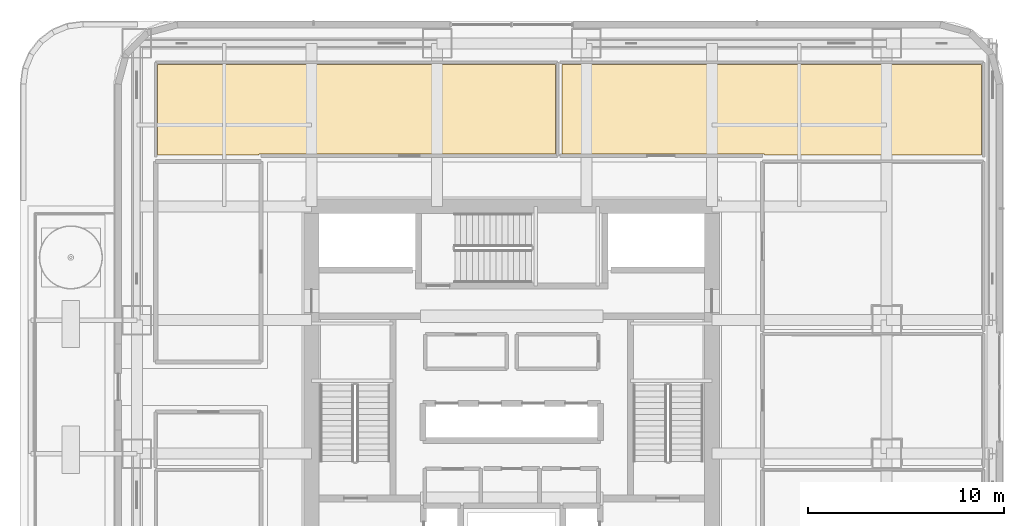
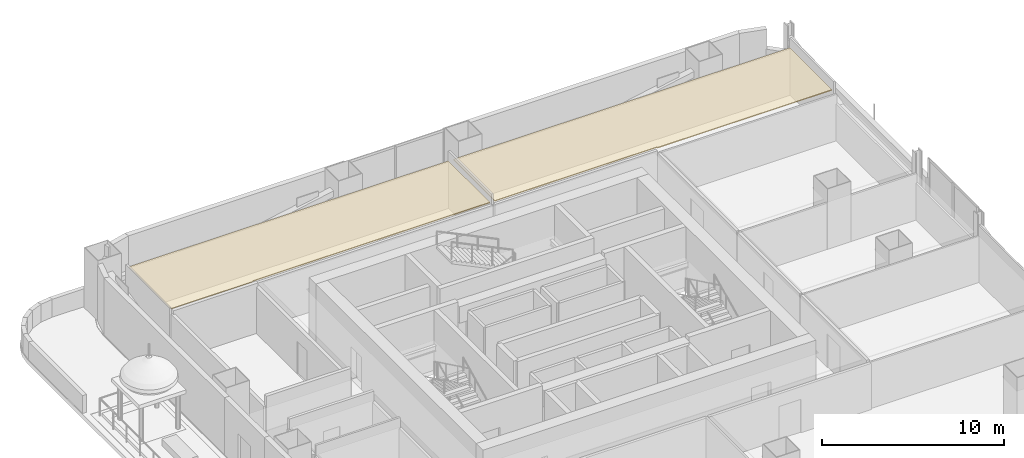
# One storey, part 26 of 27: 2 coverings.
"""IFC4 building model written with IfcOpenShell, lengths in metres."""

from ifc_helpers import new_model, si_unit, direction, frame, origin, place, context, subcontext, project, spatial, polyline, outline, extrude, material, layer, layer_set, type_object, element, save


model = new_model("IFC4")

# Units and contexts
model_context = context("Model", 3, precision=1e-05, world=origin(), true_north=direction((0.0, 1.0)))
body_context = subcontext(model_context, "Body", "Model", "MODEL_VIEW")
ifc_project = project(units=[si_unit("LENGTHUNIT", "METRE"), si_unit("AREAUNIT", "SQUARE_METRE"), si_unit("VOLUMEUNIT", "CUBIC_METRE"), si_unit("PLANEANGLEUNIT", "RADIAN"), si_unit("MASSUNIT", "GRAM", prefix="KILO")], contexts=[model_context])

# Site, building, storey
site_placement = place(None, origin())
site = spatial("IfcSite", under=ifc_project, at=site_placement, CompositionType="ELEMENT")
building_placement = place(site_placement, origin())
building = spatial("IfcBuilding", under=site, at=building_placement, Name="Punatoya Terracotta Tower", CompositionType="ELEMENT")
storey_placement = place(building_placement, frame((0.0, 0.0, 60.60009765625)))
storey = spatial("IfcBuildingStorey", under=building, at=storey_placement, Name="L13", CompositionType="ELEMENT", Elevation=60.60009765625)

# Coverings
ifc_material = material(Name="Acoustic Mineral Fibre Ceiling")
ifc_layer = layer(ifc_material, 0.06005859375)
ifc_layer_set = layer_set([ifc_layer], Name="Acoustic Mineral Fibre Ceiling")
covering_type = type_object("IfcCoveringType", Name="COV-CEIL-60", PredefinedType="CEILING", material=ifc_layer_set)
covering_1_placement = place(storey_placement, frame((0.0, 0.0, 3.159912109375)))
element("IfcCovering", 1, at=covering_1_placement, inside=storey, type_object=covering_type, Name="L13 Client Briefing Office Acoustic Ceiling", PredefinedType="CEILING", context=body_context, shape_type="SweptSolid", body=[
    extrude(outline(polyline([(-18.0400390625, 16.43994140625), (-18.0400390625, 11.81005859375), (-12.8701171875, 11.81005859375), (-12.8701171875, 11.8701171875), (2.239990234375, 11.8701171875), (2.239990234375, 16.43994140625), (-18.0400390625, 16.43994140625)])), origin(), (0.0, 0.0, 1.0), 0.06005859375),
])
covering_2_placement = place(storey_placement, frame((0.0, 0.0, 3.159912109375)))
element("IfcCovering", 2, at=covering_2_placement, inside=storey, type_object=covering_type, Name="L13 Visualization Review Room Acoustic Ceiling", PredefinedType="CEILING", context=body_context, shape_type="SweptSolid", body=[
    extrude(outline(polyline([(12.8701171875, 11.81005859375), (23.93994140625, 11.81005859375), (23.93994140625, 16.43994140625), (2.56005859375, 16.43994140625), (2.56005859375, 11.8701171875), (12.8701171875, 11.8701171875), (12.8701171875, 11.81005859375)])), origin(), (0.0, 0.0, 1.0), 0.06005859375),
])

save(model, "model.ifc")
